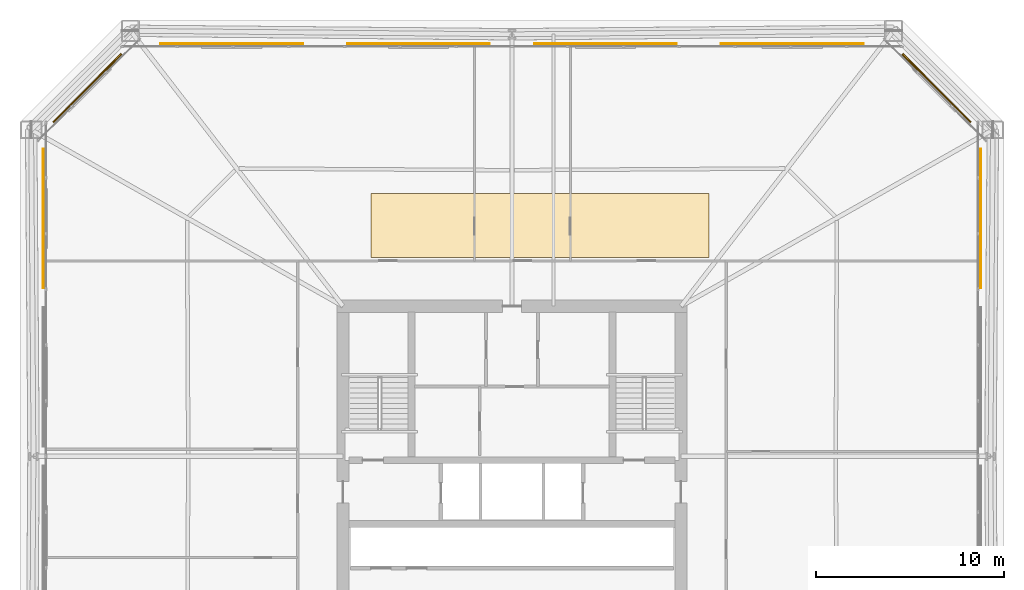
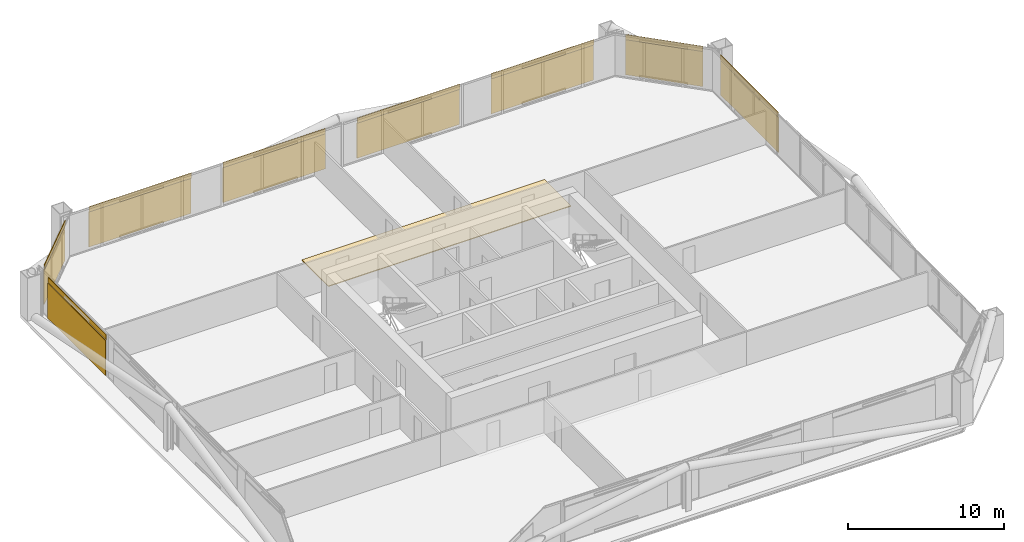
# One storey, part 50 of 50: 9 coverings, 8 shading devices.
"""IFC4 building model written with IfcOpenShell, lengths in metres."""

from ifc_helpers import new_model, si_unit, direction, frame, origin, origin_2d, place, context, subcontext, project, spatial, polyline, rectangle, outline, extrude, material, layer, layer_set, type_object, element, save


model = new_model("IFC4")

# Units and contexts
model_context = context("Model", 3, precision=1e-05, world=origin(), true_north=direction((0.0, 1.0)))
body_context = subcontext(model_context, "Body", "Model", "MODEL_VIEW")
ifc_project = project(units=[si_unit("LENGTHUNIT", "METRE"), si_unit("AREAUNIT", "SQUARE_METRE"), si_unit("VOLUMEUNIT", "CUBIC_METRE"), si_unit("PLANEANGLEUNIT", "RADIAN"), si_unit("MASSUNIT", "GRAM", prefix="KILO")], contexts=[model_context])

# Site, building, storey
site_placement = place(None, origin())
site = spatial("IfcSite", under=ifc_project, at=site_placement, CompositionType="ELEMENT")
building_placement = place(site_placement, origin())
building = spatial("IfcBuilding", under=site, at=building_placement, Name="Caelvoria Tower", CompositionType="ELEMENT")
storey_placement = place(building_placement, frame((0.0, 0.0, 71.199951171875)))
storey = spatial("IfcBuildingStorey", under=building, at=storey_placement, Name="L18", CompositionType="ELEMENT", Elevation=71.199951171875)

# Coverings
ifc_material_1 = material(Name="Perforated Architectural Bronze Cladding Screen", Category="bronze")
ifc_layer_1 = layer(ifc_material_1, 0.0400390625, Name="Perforated Architectural Bronze Cladding Screen")
ifc_layer_set_1 = layer_set([ifc_layer_1], Name="Perforated Bronze Louvre Cladding Band 40 - Perforated Architectural Bronze Cladding Screen")
covering_type_1 = type_object("IfcCoveringType", Name="Perforated Bronze Louvre Cladding Band 40", PredefinedType="CLADDING", material=ifc_layer_set_1)
covering_1_placement = place(storey_placement, frame((70.922119140625, 44.675048828125, 2.940185546875), z_axis=(0.0, 0.0, 1.0), x_axis=(0.0, 1.0, 0.0)))
element("IfcCovering", 1, at=covering_1_placement, inside=storey, type_object=covering_type_1, Name="Perforated Bronze Screen Band L18-E2-03", PredefinedType="CLADDING", context=body_context, shape_type="SweptSolid", body=[
    extrude(rectangle(XDim=7.43603515625, YDim=0.0400390625, at=origin_2d()), origin(), (0.0, 0.0, 1.0), 0.39990234375),
])
covering_2_placement = place(storey_placement, frame((68.59619140625, 51.59619140625, 2.940185546875), z_axis=(0.0, 0.0, 1.0), x_axis=(-0.707106781187, 0.707106781187, 0.0)))
element("IfcCovering", 2, at=covering_2_placement, inside=storey, type_object=covering_type_1, Name="Perforated Bronze Screen Band L18-E3-00", PredefinedType="CLADDING", context=body_context, shape_type="SweptSolid", body=[
    extrude(rectangle(XDim=5.13623046875, YDim=0.0400390625, at=origin_2d()), origin(), (0.0, 0.0, 1.0), 0.39990234375),
])
for number, where, z_axis, x_axis, name in (
    (3, (60.925048828125, 53.922119140625, 2.940185546875), (0.0, 0.0, 1.0), (-1.0, 0.0, 0.0), "Perforated Bronze Screen Band L18-E4-00"),
    (4, (50.97509765625, 53.922119140625, 2.940185546875), (0.0, 0.0, 1.0), (-1.0, 0.0, 0.0), "Perforated Bronze Screen Band L18-E4-01"),
    (5, (41.02490234375, 53.922119140625, 2.940185546875), (0.0, 0.0, 1.0), (-1.0, 0.0, 0.0), "Perforated Bronze Screen Band L18-E4-02"),
    (6, (31.074951171875, 53.922119140625, 2.940185546875), (0.0, 0.0, 1.0), (-1.0, 0.0, 0.0), "Perforated Bronze Screen Band L18-E4-03"),
):
    element("IfcCovering", number, at=place(storey_placement, frame(where, z_axis=z_axis, x_axis=x_axis)), inside=storey, type_object=covering_type_1, Name=name, PredefinedType="CLADDING", context=body_context, shape_type="SweptSolid", body=[
        extrude(rectangle(XDim=7.60009765625, YDim=0.0400390625, at=origin_2d()), origin(), (0.0, 0.0, 1.0), 0.39990234375),
    ])
covering_3_placement = place(storey_placement, frame((23.40380859375, 51.59619140625, 2.940185546875), z_axis=(0.0, 0.0, 1.0), x_axis=(-0.707106781187, -0.707106781187, 0.0)))
element("IfcCovering", 7, at=covering_3_placement, inside=storey, type_object=covering_type_1, Name="Perforated Bronze Screen Band L18-E5-00", PredefinedType="CLADDING", context=body_context, shape_type="SweptSolid", body=[
    extrude(rectangle(XDim=5.13623046875, YDim=0.0400390625, at=origin_2d()), origin(), (0.0, 0.0, 1.0), 0.39990234375),
])
covering_4_placement = place(storey_placement, frame((21.077880859375, 44.675048828125, 2.940185546875), z_axis=(0.0, 0.0, 1.0), x_axis=(0.0, -1.0, 0.0)))
element("IfcCovering", 8, at=covering_4_placement, inside=storey, type_object=covering_type_1, Name="Perforated Bronze Screen Band L18-E6-00", PredefinedType="CLADDING", context=body_context, shape_type="SweptSolid", body=[
    extrude(rectangle(XDim=7.43603515625, YDim=0.0400390625, at=origin_2d()), origin(), (0.0, 0.0, 1.0), 0.39990234375),
])

# Shading devices
ifc_material_2 = material(Name="Perforated Architectural Bronze Alloy Panel", Category="bronze")
ifc_layer_2 = layer(ifc_material_2, 0.044921875, Name="Perforated Architectural Bronze Alloy Panel")
ifc_layer_set_2 = layer_set([ifc_layer_2], Name="Perforated Bronze Solar Screen Panel SCREEN - Perforated Architectural Bronze Alloy Panel")
shading_device_type = type_object("IfcShadingDeviceType", Name="Perforated Bronze Solar Screen Panel SCREEN", PredefinedType="USERDEFINED", material=ifc_layer_set_2)
shading_device_1_placement = place(storey_placement, frame((70.965087890625, 44.675048828125, 0.16015625), z_axis=(0.0, 0.0, 1.0), x_axis=(0.0, 1.0, 0.0)))
element("IfcShadingDevice", 9, at=shading_device_1_placement, inside=storey, type_object=shading_device_type, Name="Perforated Bronze Solar Screen L18-E2-03", ObjectType="SCREEN", PredefinedType="USERDEFINED", context=body_context, shape_type="SweptSolid", body=[
    extrude(rectangle(XDim=7.43603515625, YDim=0.044921875, at=origin_2d()), origin(), (0.0, 0.0, 1.0), 2.75),
])
shading_device_2_placement = place(storey_placement, frame((68.626708984375, 51.626708984375, 0.16015625), z_axis=(0.0, 0.0, 1.0), x_axis=(-0.707106781187, 0.707106781187, 0.0)))
element("IfcShadingDevice", 10, at=shading_device_2_placement, inside=storey, type_object=shading_device_type, Name="Perforated Bronze Solar Screen L18-E3-00", ObjectType="SCREEN", PredefinedType="USERDEFINED", context=body_context, shape_type="SweptSolid", body=[
    extrude(rectangle(XDim=5.13623046875, YDim=0.044921875, at=origin_2d()), origin(), (0.0, 0.0, 1.0), 2.75),
])
for number, where, z_axis, x_axis, name in (
    (11, (60.925048828125, 53.965087890625, 0.16015625), (0.0, 0.0, 1.0), (-1.0, 0.0, 0.0), "Perforated Bronze Solar Screen L18-E4-00"),
    (12, (50.97509765625, 53.965087890625, 0.16015625), (0.0, 0.0, 1.0), (-1.0, 0.0, 0.0), "Perforated Bronze Solar Screen L18-E4-01"),
    (13, (41.02490234375, 53.965087890625, 0.16015625), (0.0, 0.0, 1.0), (-1.0, 0.0, 0.0), "Perforated Bronze Solar Screen L18-E4-02"),
    (14, (31.074951171875, 53.965087890625, 0.16015625), (0.0, 0.0, 1.0), (-1.0, 0.0, 0.0), "Perforated Bronze Solar Screen L18-E4-03"),
):
    element("IfcShadingDevice", number, at=place(storey_placement, frame(where, z_axis=z_axis, x_axis=x_axis)), inside=storey, type_object=shading_device_type, Name=name, ObjectType="SCREEN", PredefinedType="USERDEFINED", context=body_context, shape_type="SweptSolid", body=[
        extrude(rectangle(XDim=7.60009765625, YDim=0.044921875, at=origin_2d()), origin(), (0.0, 0.0, 1.0), 2.75),
    ])
shading_device_3_placement = place(storey_placement, frame((23.373291015625, 51.626708984375, 0.16015625), z_axis=(0.0, 0.0, 1.0), x_axis=(-0.707106781187, -0.707106781187, 0.0)))
element("IfcShadingDevice", 15, at=shading_device_3_placement, inside=storey, type_object=shading_device_type, Name="Perforated Bronze Solar Screen L18-E5-00", ObjectType="SCREEN", PredefinedType="USERDEFINED", context=body_context, shape_type="SweptSolid", body=[
    extrude(rectangle(XDim=5.13623046875, YDim=0.044921875, at=origin_2d()), origin(), (0.0, 0.0, 1.0), 2.75),
])
shading_device_4_placement = place(storey_placement, frame((21.034912109375, 44.675048828125, 0.16015625), z_axis=(0.0, 0.0, 1.0), x_axis=(0.0, -1.0, 0.0)))
element("IfcShadingDevice", 16, at=shading_device_4_placement, inside=storey, type_object=shading_device_type, Name="Perforated Bronze Solar Screen L18-E6-00", ObjectType="SCREEN", PredefinedType="USERDEFINED", context=body_context, shape_type="SweptSolid", body=[
    extrude(rectangle(XDim=7.43603515625, YDim=0.044921875, at=origin_2d()), origin(), (0.0, 0.0, 1.0), 2.75),
])

# Covering
ifc_material_3 = material(Name="Calcium-Sulphate Raised Floor Tile", Category="gypsum")
ifc_layer_3 = layer(ifc_material_3, 0.06005859375, Name="Calcium-Sulphate Raised Floor Tile")
ifc_layer_set_3 = layer_set([ifc_layer_3], Name="Raised Access Office Floor System 120 - Calcium-Sulphate Raised Floor Tile")
covering_type_2 = type_object("IfcCoveringType", Name="Raised Access Office Floor System 120", PredefinedType="FLOORING", material=ifc_layer_set_3)
covering_5_placement = place(storey_placement, origin())
element("IfcCovering", 17, at=covering_5_placement, inside=storey, type_object=covering_type_2, Name="Raised Access Flooring L18", PredefinedType="FLOORING", context=body_context, shape_type="SweptSolid", body=[
    extrude(outline(polyline([(38.5, 42.60009765625), (56.5, 42.60009765625), (56.5, 46.0), (38.5, 46.0), (38.5, 42.60009765625)])), origin(), (0.0, 0.0, 1.0), 0.06005859375),
])

save(model, "model.ifc")
